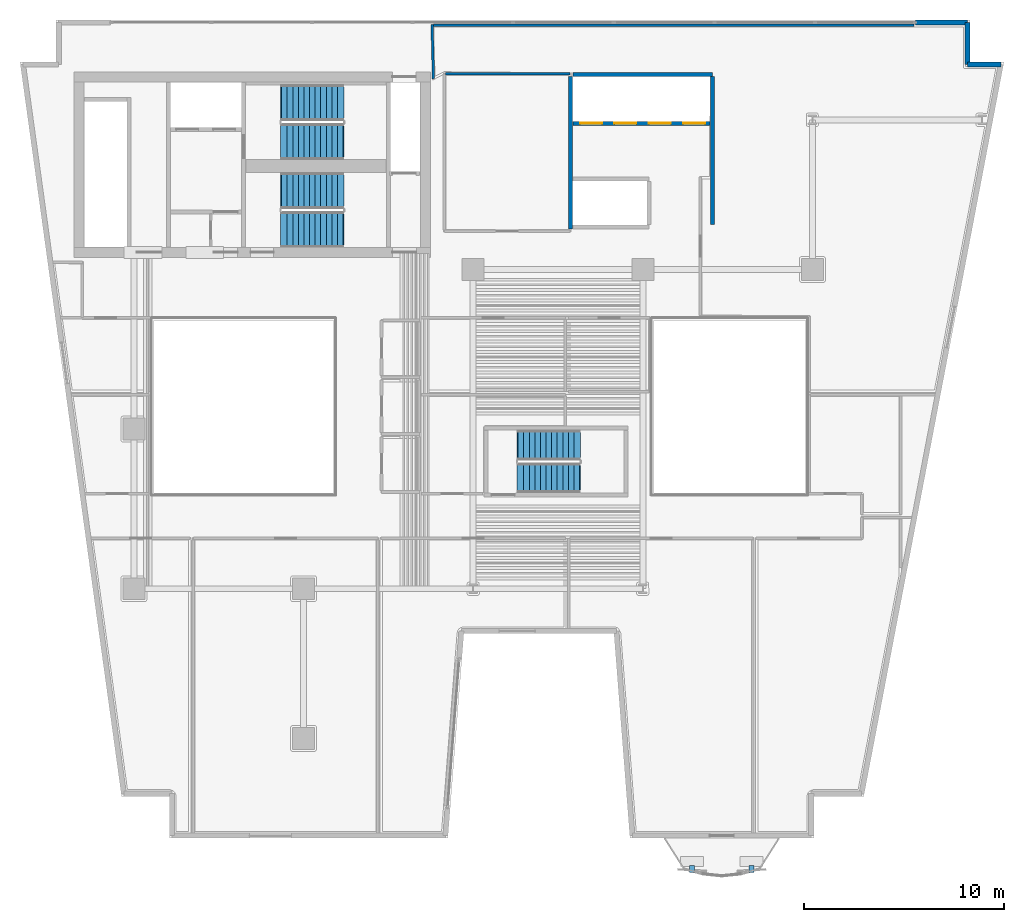
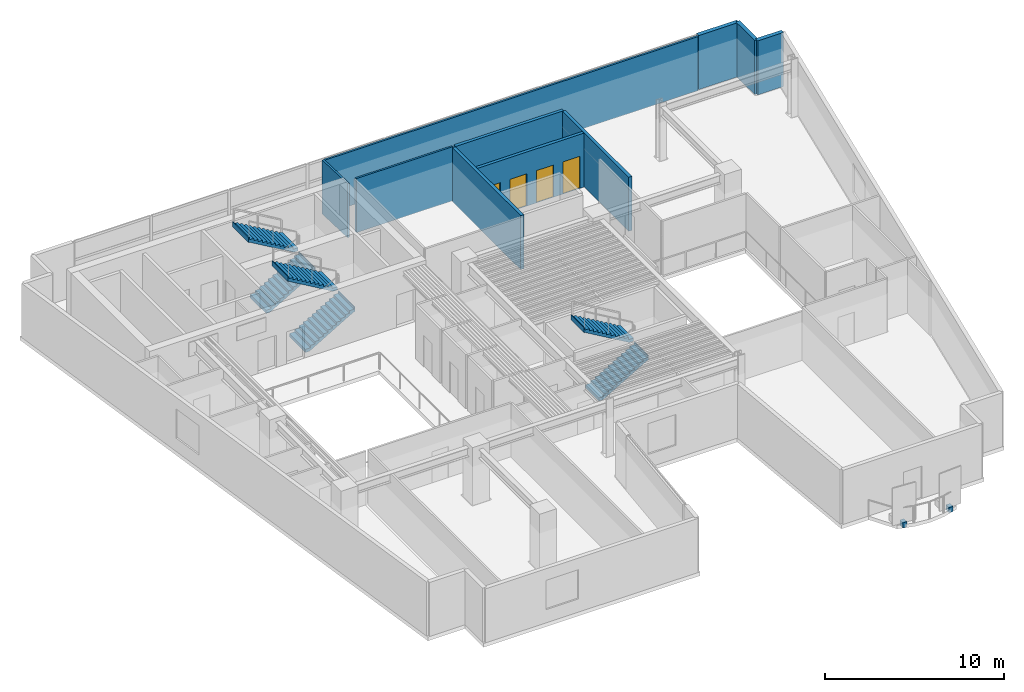
# One storey, part 8 of 13: 10 walls, 6 stair flights, 4 doors, 2 discrete accessories, 4 openings, 3 elements without a shape of their own.
"""IFC4 building model written with IfcOpenShell, lengths in metres."""

import ifcopenshell
import ifcopenshell.guid

model = None  # the IFC model being written
_history = None  # IfcOwnerHistory: only IFC2X3 demands one
_inside = {}  # id of a spatial element -> (the spatial element, [elements in it])
_under = {}  # id of a project, library or spatial element -> (it, [spatial elements below it])
_declared = {}  # id of a project -> (the project, [libraries it declares])
_typed = {}  # id of a type object -> (the type object, [elements of that type])
_made_of = {}  # id of a material, layer set ... -> (it, [elements and type objects made of it])


def new_model(schema):
    """Start an empty IFC model of exactly this schema.

    Asked for "IFC4X3", IfcOpenShell would pick the latest addendum, in which some entities
    have other attributes; the version numbers below select the first issue.
    IFC2X3 requires an IfcOwnerHistory on every rooted entity: one is made here for all.
    """
    global model, _history
    if schema == "IFC4X3":
        model = ifcopenshell.file(schema_version=(4, 3, 0, 0))
    else:
        model = ifcopenshell.file(schema=schema)
    _inside.clear()
    _under.clear()
    _declared.clear()
    _typed.clear()
    _made_of.clear()
    _history = None
    if model.schema == "IFC2X3":
        org = make("IfcOrganization", Name="unknown")
        user = make(
            "IfcPersonAndOrganization",
            ThePerson=make("IfcPerson", FamilyName="unknown"),
            TheOrganization=org,
        )
        app = make(
            "IfcApplication",
            ApplicationDeveloper=org,
            Version="unknown",
            ApplicationFullName="unknown",
            ApplicationIdentifier="unknown",
        )
        _history = make(
            "IfcOwnerHistory",
            OwningUser=user,
            OwningApplication=app,
            ChangeAction="ADDED",
            CreationDate=0,
        )
    return model


def make(cls, **values):
    """One entity of the class cls with the attributes given. An attribute that is None is left unset."""
    return model.create_entity(
        cls, **{name: value for name, value in values.items() if value is not None}
    )


def rooted(cls, **values):
    """An entity with a GlobalId (a new one), such as an element, a storey or a relation."""
    return make(cls, GlobalId=ifcopenshell.guid.new(), OwnerHistory=_history, **values)


def si_unit(unit_type, name, prefix=None):
    """IfcSIUnit, for example si_unit("LENGTHUNIT", "METRE", prefix="MILLI")."""
    return make("IfcSIUnit", UnitType=unit_type, Prefix=prefix, Name=name)


def assignment(units):
    """IfcUnitAssignment: the units of a project."""
    return None if units is None else make("IfcUnitAssignment", Units=units)


def point(xyz):
    """IfcCartesianPoint."""
    return None if xyz is None else make("IfcCartesianPoint", Coordinates=xyz)


def direction(xyz):
    """IfcDirection."""
    return None if xyz is None else make("IfcDirection", DirectionRatios=xyz)


def frame(location, z_axis=None, x_axis=None):
    """IfcAxis2Placement3D, a coordinate frame: its origin and axes. An axis left out is left unset."""
    return make(
        "IfcAxis2Placement3D",
        Location=point(location),
        Axis=direction(z_axis),
        RefDirection=direction(x_axis),
    )


def frame_2d(location, x_axis=None):
    """IfcAxis2Placement2D, a coordinate frame in the plane: its origin and x axis."""
    return make(
        "IfcAxis2Placement2D", Location=point(location), RefDirection=direction(x_axis)
    )


def origin():
    """The frame at (0, 0, 0) with its axes left unset."""
    return frame((0.0, 0.0, 0.0))


def origin_2d():
    """The frame at (0, 0) in the plane with its x axis left unset."""
    return frame_2d((0.0, 0.0))


def place(relative_to, where):
    """IfcLocalPlacement: puts the frame where relative to a parent placement (None: the world)."""
    return make(
        "IfcLocalPlacement", PlacementRelTo=relative_to, RelativePlacement=where
    )


def context(
    kind, dimensions, precision=None, world=None, true_north=None, identifier=None
):
    """IfcGeometricRepresentationContext, for example the 3D "Model" context."""
    return make(
        "IfcGeometricRepresentationContext",
        ContextIdentifier=identifier,
        ContextType=kind,
        CoordinateSpaceDimension=dimensions,
        Precision=precision,
        WorldCoordinateSystem=world,
        TrueNorth=true_north,
    )


def subcontext(parent, identifier, kind, view, scale=None):
    """IfcGeometricRepresentationSubContext, for example "Body" below "Model"."""
    return make(
        "IfcGeometricRepresentationSubContext",
        ContextIdentifier=identifier,
        ContextType=kind,
        ParentContext=parent,
        TargetScale=scale,
        TargetView=view,
    )


def project(units=None, contexts=None):
    """IfcProject with its units and contexts."""
    return rooted(
        "IfcProject",
        Name="project",
        RepresentationContexts=contexts,
        UnitsInContext=assignment(units),
    )


def spatial(cls, under=None, at=None, **own):
    """A site, building, storey or space (cls), placed at a placement, below another one or the project."""
    s = rooted(cls, ObjectPlacement=at, **own)
    if under is not None:
        _under.setdefault(under.id(), (under, []))[1].append(s)
    return s


def polyline(points):
    """IfcPolyline through the points."""
    return make("IfcPolyline", Points=[point(p) for p in points])


def profile(cls, at=None, kind="AREA", **sizes):
    """A parametric profile (cls). Its sizes go by their IFC names, for example OverallWidth=200.0."""
    return make(cls, ProfileType=kind, Position=at, **sizes)


def rectangle(**sizes):
    """IfcRectangleProfileDef."""
    return profile("IfcRectangleProfileDef", **sizes)


def outline(outer, holes=None, kind="AREA"):
    """IfcArbitraryClosedProfileDef: a profile drawn as a closed curve; with holes, ...WithVoids."""
    if holes is None:
        return make("IfcArbitraryClosedProfileDef", ProfileType=kind, OuterCurve=outer)
    return make(
        "IfcArbitraryProfileDefWithVoids",
        ProfileType=kind,
        OuterCurve=outer,
        InnerCurves=holes,
    )


def extrude(swept, where, along, depth):
    """IfcExtrudedAreaSolid: the profile swept, set in the frame where, extruded along a direction by depth."""
    return make(
        "IfcExtrudedAreaSolid",
        SweptArea=swept,
        Position=where,
        ExtrudedDirection=direction(along),
        Depth=depth,
    )


def shape(context_of_items, identifier, shape_type, items):
    """IfcShapeRepresentation: the items that make up one representation, for example the "Body"."""
    return make(
        "IfcShapeRepresentation",
        ContextOfItems=context_of_items,
        RepresentationIdentifier=identifier,
        RepresentationType=shape_type,
        Items=items,
    )


def material(Name=None, Category=None):
    """IfcMaterial."""
    return make("IfcMaterial", Name=Name, Category=Category)


def layer(
    of_material, thickness, ventilated=None, Name=None, Category=None, Priority=None
):
    """IfcMaterialLayer: one layer of a wall or slab, of a material (None: an air gap)."""
    return make(
        "IfcMaterialLayer",
        Material=of_material,
        LayerThickness=thickness,
        IsVentilated=ventilated,
        Name=Name,
        Category=Category,
        Priority=Priority,
    )


def layer_set(layers, Name=None):
    """IfcMaterialLayerSet."""
    return make("IfcMaterialLayerSet", MaterialLayers=layers, LayerSetName=Name)


def made_of(thing, what):
    """Note that an element or type object is made of a material, layer set ...; save() writes the relation."""
    if what is not None:
        _made_of.setdefault(what.id(), (what, []))[1].append(thing)
    return thing


def type_object(cls, material=None, **own):
    """A type object (cls), such as IfcWallType, which elements share."""
    return made_of(rooted(cls, **own), material)


def element(
    cls,
    number,
    at=None,
    inside=None,
    cuts=None,
    type_object=None,
    material=None,
    context=None,
    identifier="Body",
    shape_type=None,
    held_by="IfcProductDefinitionShape",
    body=None,
    shapes=None,
    **own,
):
    """One element of the class cls, such as IfcWall. Its Tag is "e" and its number.

    at: its placement. inside: the storey or other place that contains it. cuts: it is an
    opening in that element (IfcRelVoidsElement). A single representation is given by context,
    identifier, shape_type and body (its items); several are given by shapes. held_by: the class
    of the entity that holds the representations. save() writes the other relations.
    """
    e = rooted(cls, Tag="e%d" % number, ObjectPlacement=at, **own)
    if body is not None:
        shapes = [shape(context, identifier, shape_type, body)]
    if shapes is not None:
        e.Representation = make(held_by, Representations=shapes)
    if inside is not None:
        _inside.setdefault(inside.id(), (inside, []))[1].append(e)
    if cuts is not None:
        rooted(
            "IfcRelVoidsElement", RelatingBuildingElement=cuts, RelatedOpeningElement=e
        )
    if type_object is not None:
        _typed.setdefault(type_object.id(), (type_object, []))[1].append(e)
    return made_of(e, material)


def fill(opening, filler):
    """IfcRelFillsElement: the door or window that sits in an opening."""
    return rooted(
        "IfcRelFillsElement",
        RelatingOpeningElement=opening,
        RelatedBuildingElement=filler,
    )


def aggregate(whole, parts):
    """IfcRelAggregates: a whole, such as a stair, and the parts it consists of."""
    return rooted("IfcRelAggregates", RelatingObject=whole, RelatedObjects=parts)


def save(model, path):
    """Write the relations noted so far, then the file.

    IfcRelAggregates (storeys below a building ...), IfcRelContainedInSpatialStructure (elements
    in a storey), IfcRelDefinesByType, IfcRelAssociatesMaterial and IfcRelDeclares: one each for
    every whole, place, type object, material and project.
    """
    for whole, parts in _under.values():
        aggregate(whole, parts)
    for where, things in _inside.values():
        rooted(
            "IfcRelContainedInSpatialStructure",
            RelatedElements=things,
            RelatingStructure=where,
        )
    for kind, things in _typed.values():
        rooted("IfcRelDefinesByType", RelatedObjects=things, RelatingType=kind)
    for what, things in _made_of.values():
        rooted("IfcRelAssociatesMaterial", RelatedObjects=things, RelatingMaterial=what)
    for by, libraries in _declared.values():
        rooted("IfcRelDeclares", RelatingContext=by, RelatedDefinitions=libraries)
    model.write(path)


model = new_model("IFC4")

# Units and contexts
model_context = context("Model", 3, precision=1e-05, world=origin(), true_north=direction((0.0, 1.0)))
body_context = subcontext(model_context, "Body", "Model", "MODEL_VIEW")
ifc_project = project(units=[si_unit("LENGTHUNIT", "METRE"), si_unit("AREAUNIT", "SQUARE_METRE"), si_unit("VOLUMEUNIT", "CUBIC_METRE"), si_unit("PLANEANGLEUNIT", "RADIAN"), si_unit("MASSUNIT", "GRAM", prefix="KILO")], contexts=[model_context])

# Site, building, storey
site_placement = place(None, origin())
site = spatial("IfcSite", under=ifc_project, at=site_placement, CompositionType="ELEMENT")
building_placement = place(site_placement, origin())
building = spatial("IfcBuilding", under=site, at=building_placement, Name="Caeloran Harvest Quay", CompositionType="ELEMENT")
storey_placement = place(building_placement, frame((0.0, 0.0, 166.699951171875)))
storey = spatial("IfcBuildingStorey", under=building, at=storey_placement, Name="L39", CompositionType="ELEMENT", Elevation=166.699951171875)

# Walls
ifc_material_1 = material(Name="Precast concrete C50/60", Category="concrete")
ifc_layer_1 = layer(ifc_material_1, 0.260009765625, Name="Precast concrete C50/60")
ifc_layer_set_1 = layer_set([ifc_layer_1], Name="Precast concrete C50/60")
wall_type_1 = type_object("IfcWallType", Name="ENV-WALL-EW-260", PredefinedType="STANDARD", material=ifc_layer_set_1)
wall_1_placement = place(storey_placement, frame((47.669921875, 43.3701171875, 0.0), z_axis=(0.0, 0.0, 1.0), x_axis=(1.0, 0.0, 0.0)))
element("IfcWall", 1, at=wall_1_placement, inside=storey, type_object=wall_type_1, Name="L39 Exterior Facade Corner Pier Wall 6B", PredefinedType="STANDARD", context=body_context, shape_type="SweptSolid", body=[
    extrude(rectangle(XDim=2.60009765625, YDim=0.260009765625, at=frame_2d((1.300048828125, 0.0))), origin(), (0.0, 0.0, 1.0), 3.68994140625),
])
wall_2_placement = place(storey_placement, frame((50.27001953125, 43.3701171875, 0.0), z_axis=(0.0, 0.0, 1.0), x_axis=(0.0, -1.0, 0.0)))
element("IfcWall", 2, at=wall_2_placement, inside=storey, type_object=wall_type_1, Name="L39 Exterior Precast Concrete Facade Wall 7", PredefinedType="STANDARD", context=body_context, shape_type="SweptSolid", body=[
    extrude(rectangle(XDim=2.10009765625, YDim=0.260009765625, at=frame_2d((1.050048828125, 0.0))), origin(), (0.0, 0.0, 1.0), 3.68994140625),
])
wall_3_placement = place(storey_placement, frame((50.27001953125, 41.27001953125, 0.0), z_axis=(0.0, 0.0, 1.0), x_axis=(1.0, 0.0, 0.0)))
element("IfcWall", 3, at=wall_3_placement, inside=storey, type_object=wall_type_1, Name="L39 Exterior Precast Concrete Facade Wall 8", PredefinedType="STANDARD", context=body_context, shape_type="SweptSolid", body=[
    extrude(rectangle(XDim=1.671875, YDim=0.260009765625, at=frame_2d((0.8359375, 0.0))), origin(), (0.0, 0.0, 1.0), 3.68994140625),
])
ifc_material_2 = material(Name="Twin-Stud Mineral-Wool Acoustic Gypsum Partition", Category="gypsum")
ifc_layer_2 = layer(ifc_material_2, 0.125, Name="Twin-Stud Mineral-Wool Acoustic Gypsum Partition")
ifc_layer_set_2 = layer_set([ifc_layer_2], Name="Twin-Stud Mineral-Wool Acoustic Gypsum Partition")
wall_type_2 = type_object("IfcWallType", Name="INT-WALL-PW-125", PredefinedType="PARTITIONING", material=ifc_layer_set_2)
wall_4_placement = place(storey_placement, frame((24.117431640625, 40.800048828125, 0.0), z_axis=(0.0, 0.0, 1.0), x_axis=(1.0, 0.0, 0.0)))
element("IfcWall", 4, at=wall_4_placement, inside=storey, type_object=wall_type_2, Name="L39 Bioinformatics and Crop Phenotyping Laboratory Partition Wall", PredefinedType="PARTITIONING", context=body_context, shape_type="SweptSolid", body=[
    extrude(rectangle(XDim=6.232666015625, YDim=0.125, at=frame_2d((3.1162109375, 0.0))), origin(), (0.0, 0.0, 1.0), 3.68994140625),
])
wall_5_placement = place(storey_placement, frame((23.510009765625, 40.555908203125, 0.0), z_axis=(0.0, 0.0, 1.0), x_axis=(-0.02567646332, 0.999670305266, 0.0)))
element("IfcWall", 5, at=wall_5_placement, inside=storey, type_object=wall_type_2, Name="Hospitality Catering Kitchen 12 Partition Wall", PredefinedType="PARTITIONING", context=body_context, shape_type="SweptSolid", body=[
    extrude(rectangle(XDim=2.7099609375, YDim=0.125, at=frame_2d((1.35498046875, 0.0))), origin(), (0.0, 0.0, 1.0), 3.68994140625),
])
wall_6_placement = place(storey_placement, frame((23.508544921875, 43.239990234375, 0.0), z_axis=(0.0, 0.0, 1.0), x_axis=(1.0, 0.0, 0.0)))
element("IfcWall", 6, at=wall_6_placement, inside=storey, type_object=wall_type_2, Name="Hospitality Catering Kitchen 12 Partition Wall", PredefinedType="PARTITIONING", context=body_context, shape_type="SweptSolid", body=[
    extrude(rectangle(XDim=24.0869140625, YDim=0.125, at=frame_2d((12.04345703125, 0.0))), origin(), (0.0, 0.0, 1.0), 3.68994140625),
])
ifc_material_3 = material(Name="Concrete C50/60", Category="concrete")
ifc_layer_3 = layer(ifc_material_3, 0.199951171875, Name="Concrete C50/60")
ifc_layer_set_3 = layer_set([ifc_layer_3], Name="Concrete C50/60")
wall_type_3 = type_object("IfcWallType", Name="INT-WALL-SW-200", PredefinedType="PARTITIONING", material=ifc_layer_set_3)
wall_7_placement = place(storey_placement, frame((30.3798828125, 33.02001953125, 0.0), z_axis=(0.0, 0.0, 1.0), x_axis=(0.0, 1.0, 0.0)))
element("IfcWall", 7, at=wall_7_placement, inside=storey, type_object=wall_type_3, Name="L39 Bank 2 and Shuttle Lift Shaft West Wall", PredefinedType="PARTITIONING", context=body_context, shape_type="SweptSolid", body=[
    extrude(rectangle(XDim=7.639892578125, YDim=0.199951171875, at=frame_2d((3.81982421875, 0.0))), origin(), (0.0, 0.0, 1.0), 3.68994140625),
])
wall_8_placement = place(storey_placement, frame((30.5, 40.780029296875, 0.0), z_axis=(0.0, 0.0, 1.0), x_axis=(1.0, 0.0, 0.0)))
element("IfcWall", 8, at=wall_8_placement, inside=storey, type_object=wall_type_3, Name="L39 Bank 2 Lift Shaft North Wall", PredefinedType="PARTITIONING", context=body_context, shape_type="SweptSolid", body=[
    extrude(rectangle(XDim=6.97998046875, YDim=0.199951171875, at=frame_2d((3.489990234375, 0.0))), origin(), (0.0, 0.0, 1.0), 3.68994140625),
])
wall_9_placement = place(storey_placement, frame((37.47998046875, 33.239990234375, 0.0), z_axis=(0.0, 0.0, 1.0), x_axis=(0.0, 1.0, 0.0)))
element("IfcWall", 9, at=wall_9_placement, inside=storey, type_object=wall_type_3, Name="L39 Bank 2 Lift Shaft East Wall", PredefinedType="PARTITIONING", context=body_context, shape_type="SweptSolid", body=[
    extrude(rectangle(XDim=7.419921875, YDim=0.199951171875, at=frame_2d((3.7099609375, 0.0))), origin(), (0.0, 0.0, 1.0), 3.68994140625),
])

# Wall, openings, doors
wall_10_placement = place(storey_placement, frame((30.5, 38.320068359375, 0.0), z_axis=(0.0, 0.0, 1.0), x_axis=(1.0, 0.0, 0.0)))
wall_10 = element("IfcWall", 10, at=wall_10_placement, inside=storey, type_object=wall_type_3, Name="L39 Bank 2 Lift Landing Front Wall", PredefinedType="PARTITIONING", context=body_context, shape_type="SweptSolid", body=[
    extrude(rectangle(XDim=6.860107421875, YDim=0.199951171875, at=frame_2d((3.43017578125, 0.0))), origin(), (0.0, 0.0, 1.0), 3.68994140625),
])
opening_1_placement = place(wall_10_placement, frame((0.360107421875, 0.0, 0.0)))
opening_1 = element("IfcOpeningElement", 11, at=opening_1_placement, cuts=wall_10, Name="Opening LD-01", PredefinedType="OPENING", context=body_context, shape_type="SweptSolid", body=[
    extrude(rectangle(XDim=1.10009765625, YDim=2.199951171875, at=frame_2d((0.550048828125, 1.10009765625))), frame((0.0, 0.10986328125, 0.0), z_axis=(0.0, -1.0, 0.0), x_axis=(1.0, 0.0, 0.0)), (0.0, 0.0, 1.0), 0.219970703125),
])
opening_2_placement = place(wall_10_placement, frame((2.080078125, 0.0, 0.0)))
opening_2 = element("IfcOpeningElement", 12, at=opening_2_placement, cuts=wall_10, Name="Opening LD-01", PredefinedType="OPENING", context=body_context, shape_type="SweptSolid", body=[
    extrude(rectangle(XDim=1.10009765625, YDim=2.199951171875, at=frame_2d((0.550048828125, 1.10009765625))), frame((0.0, 0.10986328125, 0.0), z_axis=(0.0, -1.0, 0.0), x_axis=(1.0, 0.0, 0.0)), (0.0, 0.0, 1.0), 0.219970703125),
])
opening_3_placement = place(wall_10_placement, frame((3.800048828125, 0.0, 0.0)))
opening_3 = element("IfcOpeningElement", 13, at=opening_3_placement, cuts=wall_10, Name="Opening LD-01", PredefinedType="OPENING", context=body_context, shape_type="SweptSolid", body=[
    extrude(rectangle(XDim=1.10009765625, YDim=2.199951171875, at=frame_2d((0.550048828125, 1.10009765625))), frame((0.0, 0.10986328125, 0.0), z_axis=(0.0, -1.0, 0.0), x_axis=(1.0, 0.0, 0.0)), (0.0, 0.0, 1.0), 0.219970703125),
])
opening_4_placement = place(wall_10_placement, frame((5.52001953125, 0.0, 0.0)))
opening_4 = element("IfcOpeningElement", 14, at=opening_4_placement, cuts=wall_10, Name="Opening LD-01", PredefinedType="OPENING", context=body_context, shape_type="SweptSolid", body=[
    extrude(rectangle(XDim=1.10009765625, YDim=2.199951171875, at=frame_2d((0.550048828125, 1.10009765625))), frame((0.0, 0.10986328125, 0.0), z_axis=(0.0, -1.0, 0.0), x_axis=(1.0, 0.0, 0.0)), (0.0, 0.0, 1.0), 0.219970703125),
])
ifc_material_4 = material(Name="Stainless Steel Grade 316", Category="steel")
door_type = type_object("IfcDoorType", Name="INTDOOR-LD-01", OperationType="NOTDEFINED", PredefinedType="DOOR", material=ifc_material_4)
door_1_placement = place(opening_1_placement, origin())
door_1 = element("IfcDoor", 15, at=door_1_placement, inside=storey, type_object=door_type, Name="Lift P2-1 Sliding Landing Door (L39)", OperationType="DOUBLE_DOOR_SLIDING", OverallHeight=2.199951171875, OverallWidth=1.10009765625, PredefinedType="DOOR", context=body_context, shape_type="SweptSolid", body=[
    extrude(rectangle(XDim=1.10009765625, YDim=2.199951171875, at=frame_2d((0.550048828125, 1.10009765625))), frame((0.0, 0.02490234375, 0.0), z_axis=(0.0, -1.0, 0.0), x_axis=(1.0, 0.0, 0.0)), (0.0, 0.0, 1.0), 0.050048828125),
])
fill(opening_1, door_1)
door_2_placement = place(opening_2_placement, origin())
door_2 = element("IfcDoor", 16, at=door_2_placement, inside=storey, type_object=door_type, Name="Lift P2-2 Sliding Landing Door (L39)", OperationType="DOUBLE_DOOR_SLIDING", OverallHeight=2.199951171875, OverallWidth=1.10009765625, PredefinedType="DOOR", context=body_context, shape_type="SweptSolid", body=[
    extrude(rectangle(XDim=1.10009765625, YDim=2.199951171875, at=frame_2d((0.550048828125, 1.10009765625))), frame((0.0, 0.02490234375, 0.0), z_axis=(0.0, -1.0, 0.0), x_axis=(1.0, 0.0, 0.0)), (0.0, 0.0, 1.0), 0.050048828125),
])
fill(opening_2, door_2)
door_3_placement = place(opening_3_placement, origin())
door_3 = element("IfcDoor", 17, at=door_3_placement, inside=storey, type_object=door_type, Name="Lift P2-3 Sliding Landing Door (L39)", OperationType="DOUBLE_DOOR_SLIDING", OverallHeight=2.199951171875, OverallWidth=1.10009765625, PredefinedType="DOOR", context=body_context, shape_type="SweptSolid", body=[
    extrude(rectangle(XDim=1.10009765625, YDim=2.199951171875, at=frame_2d((0.550048828125, 1.10009765625))), frame((0.0, 0.02490234375, 0.0), z_axis=(0.0, -1.0, 0.0), x_axis=(1.0, 0.0, 0.0)), (0.0, 0.0, 1.0), 0.050048828125),
])
fill(opening_3, door_3)
door_4_placement = place(opening_4_placement, origin())
door_4 = element("IfcDoor", 18, at=door_4_placement, inside=storey, type_object=door_type, Name="Lift P2-4 Sliding Landing Door (L39)", OperationType="DOUBLE_DOOR_SLIDING", OverallHeight=2.199951171875, OverallWidth=1.10009765625, PredefinedType="DOOR", context=body_context, shape_type="SweptSolid", body=[
    extrude(rectangle(XDim=1.10009765625, YDim=2.199951171875, at=frame_2d((0.550048828125, 1.10009765625))), frame((0.0, 0.02490234375, 0.0), z_axis=(0.0, -1.0, 0.0), x_axis=(1.0, 0.0, 0.0)), (0.0, 0.0, 1.0), 0.050048828125),
])
fill(opening_4, door_4)

# Stair, stair flights
stair_type_1 = type_object("IfcStairType", Name="STAIR-STC-180", PredefinedType="HALF_TURN_STAIR", material=ifc_material_3)
stair_1_placement = place(storey_placement, origin())
stair_1 = element("IfcStair", 19, at=stair_1_placement, inside=storey, type_object=stair_type_1, Name="L39 Core Pressurized Exit Stair ST-C1", PredefinedType="HALF_TURN_STAIR")
stair_flight_type_1 = type_object("IfcStairFlightType", Name="FLIGHT-STC-180", PredefinedType="STRAIGHT", material=ifc_material_3)
stair_flight_1_placement = place(storey_placement, frame((15.89990234375, 37.39990234375, 0.0), z_axis=(0.0, 0.0, 1.0), x_axis=(1.0, 0.0, 0.0)))
stair_flight_1 = element("IfcStairFlight", 20, at=stair_flight_1_placement, type_object=stair_flight_type_1, Name="ST-C1 flight 1", NumberOfRisers=12, NumberOfTreads=11, PredefinedType="STRAIGHT", RiserHeight=0.164583333, TreadLength=0.28, context=body_context, shape_type="SweptSolid", body=[
    extrude(outline(polyline([(-0.054931640625, -0.044921875), (-0.054931640625, -0.031982421875), (-0.054931640625, -0.018798828125), (-0.054931640625, -0.005615234375), (-0.054931640625, 0.00732421875), (-0.054931640625, 0.0205078125), (-0.054931640625, 0.03369140625), (-0.054931640625, 0.046630859375), (-0.054931640625, 0.059814453125), (-0.054931640625, 0.072998046875), (-0.054931640625, 0.0859375), (-0.054931640625, 0.09912109375), (-0.054931640625, 0.1123046875), (-0.054931640625, 0.125244140625), (-0.054931640625, 0.138427734375), (-0.054931640625, 0.1513671875), (-0.054931640625, 0.16455078125), (0.280029296875, 0.16455078125), (0.280029296875, 0.3291015625), (0.56005859375, 0.3291015625), (0.56005859375, 0.49365234375), (0.840087890625, 0.49365234375), (0.840087890625, 0.658447265625), (1.1201171875, 0.658447265625), (1.1201171875, 0.822998046875), (1.39990234375, 0.822998046875), (1.39990234375, 0.987548828125), (1.679931640625, 0.987548828125), (1.679931640625, 1.152099609375), (1.9599609375, 1.152099609375), (1.9599609375, 1.316650390625), (2.239990234375, 1.316650390625), (2.239990234375, 1.481201171875), (2.52001953125, 1.481201171875), (2.52001953125, 1.645751953125), (2.800048828125, 1.645751953125), (2.800048828125, 1.810302734375), (3.080078125, 1.810302734375), (3.080078125, 1.97509765625), (3.135009765625, 1.97509765625), (3.135009765625, 1.953857421875), (3.135009765625, 1.9326171875), (3.135009765625, 1.91162109375), (3.135009765625, 1.890380859375), (3.135009765625, 1.869140625), (3.135009765625, 1.84814453125), (3.135009765625, 1.826904296875), (3.135009765625, 1.8056640625), (3.135009765625, 1.78466796875), (3.135009765625, 1.763427734375), (3.135009765625, 1.7421875), (3.135009765625, 1.72119140625), (3.135009765625, 1.699951171875), (3.135009765625, 1.678955078125), (3.135009765625, 1.65771484375), (3.135009765625, 1.636474609375), (3.080078125, 1.636474609375), (0.21923828125, -0.044921875), (-0.054931640625, -0.044921875)])), frame((0.0, 0.89990234375, 0.0), z_axis=(0.0, -1.0, 0.0), x_axis=(1.0, 0.0, 0.0)), (0.0, 0.0, 1.0), 1.800048828125),
])
stair_flight_2_placement = place(storey_placement, frame((18.97998046875, 39.35009765625, 1.97509765625), z_axis=(0.0, 0.0, 1.0), x_axis=(-1.0, 0.0, 0.0)))
stair_flight_2 = element("IfcStairFlight", 21, at=stair_flight_2_placement, type_object=stair_flight_type_1, Name="ST-C1 flight 2", NumberOfRisers=12, NumberOfTreads=11, PredefinedType="STRAIGHT", RiserHeight=0.164583333, TreadLength=0.28, context=body_context, shape_type="SweptSolid", body=[
    extrude(outline(polyline([(-0.054931640625, -0.044921875), (-0.054931640625, -0.031982421875), (-0.054931640625, -0.018798828125), (-0.054931640625, -0.005615234375), (-0.054931640625, 0.00732421875), (-0.054931640625, 0.0205078125), (-0.054931640625, 0.03369140625), (-0.054931640625, 0.046630859375), (-0.054931640625, 0.059814453125), (-0.054931640625, 0.072998046875), (-0.054931640625, 0.0859375), (-0.054931640625, 0.09912109375), (-0.054931640625, 0.1123046875), (-0.054931640625, 0.125244140625), (-0.054931640625, 0.138427734375), (-0.054931640625, 0.1513671875), (-0.054931640625, 0.16455078125), (0.280029296875, 0.16455078125), (0.280029296875, 0.3291015625), (0.56005859375, 0.3291015625), (0.56005859375, 0.49365234375), (0.840087890625, 0.49365234375), (0.840087890625, 0.658447265625), (1.1201171875, 0.658447265625), (1.1201171875, 0.822998046875), (1.39990234375, 0.822998046875), (1.39990234375, 0.987548828125), (1.679931640625, 0.987548828125), (1.679931640625, 1.152099609375), (1.9599609375, 1.152099609375), (1.9599609375, 1.316650390625), (2.239990234375, 1.316650390625), (2.239990234375, 1.481201171875), (2.52001953125, 1.481201171875), (2.52001953125, 1.645751953125), (2.800048828125, 1.645751953125), (2.800048828125, 1.810302734375), (3.080078125, 1.810302734375), (3.080078125, 1.97509765625), (3.135009765625, 1.97509765625), (3.135009765625, 1.953857421875), (3.135009765625, 1.9326171875), (3.135009765625, 1.91162109375), (3.135009765625, 1.890380859375), (3.135009765625, 1.869140625), (3.135009765625, 1.84814453125), (3.135009765625, 1.826904296875), (3.135009765625, 1.8056640625), (3.135009765625, 1.78466796875), (3.135009765625, 1.763427734375), (3.135009765625, 1.7421875), (3.135009765625, 1.72119140625), (3.135009765625, 1.699951171875), (3.135009765625, 1.678955078125), (3.135009765625, 1.65771484375), (3.135009765625, 1.636474609375), (3.080078125, 1.636474609375), (0.21923828125, -0.044921875), (-0.054931640625, -0.044921875)])), frame((0.0, 0.89990234375, 0.0), z_axis=(0.0, -1.0, 0.0), x_axis=(1.0, 0.0, 0.0)), (0.0, 0.0, 1.0), 1.800048828125),
])
aggregate(stair_1, [stair_flight_1, stair_flight_2])

stair_2_placement = place(storey_placement, origin())
stair_2 = element("IfcStair", 22, at=stair_2_placement, inside=storey, type_object=stair_type_1, Name="L39 Core Pressurized Exit Stair ST-C2", PredefinedType="HALF_TURN_STAIR")
stair_flight_3_placement = place(storey_placement, frame((15.89990234375, 33.0, 0.0), z_axis=(0.0, 0.0, 1.0), x_axis=(1.0, 0.0, 0.0)))
stair_flight_3 = element("IfcStairFlight", 23, at=stair_flight_3_placement, type_object=stair_flight_type_1, Name="ST-C2 flight 1", NumberOfRisers=12, NumberOfTreads=11, PredefinedType="STRAIGHT", RiserHeight=0.164583333, TreadLength=0.28, context=body_context, shape_type="SweptSolid", body=[
    extrude(outline(polyline([(-0.054931640625, -0.044921875), (-0.054931640625, -0.031982421875), (-0.054931640625, -0.018798828125), (-0.054931640625, -0.005615234375), (-0.054931640625, 0.00732421875), (-0.054931640625, 0.0205078125), (-0.054931640625, 0.03369140625), (-0.054931640625, 0.046630859375), (-0.054931640625, 0.059814453125), (-0.054931640625, 0.072998046875), (-0.054931640625, 0.0859375), (-0.054931640625, 0.09912109375), (-0.054931640625, 0.1123046875), (-0.054931640625, 0.125244140625), (-0.054931640625, 0.138427734375), (-0.054931640625, 0.1513671875), (-0.054931640625, 0.16455078125), (0.280029296875, 0.16455078125), (0.280029296875, 0.3291015625), (0.56005859375, 0.3291015625), (0.56005859375, 0.49365234375), (0.840087890625, 0.49365234375), (0.840087890625, 0.658447265625), (1.1201171875, 0.658447265625), (1.1201171875, 0.822998046875), (1.39990234375, 0.822998046875), (1.39990234375, 0.987548828125), (1.679931640625, 0.987548828125), (1.679931640625, 1.152099609375), (1.9599609375, 1.152099609375), (1.9599609375, 1.316650390625), (2.239990234375, 1.316650390625), (2.239990234375, 1.481201171875), (2.52001953125, 1.481201171875), (2.52001953125, 1.645751953125), (2.800048828125, 1.645751953125), (2.800048828125, 1.810302734375), (3.080078125, 1.810302734375), (3.080078125, 1.97509765625), (3.135009765625, 1.97509765625), (3.135009765625, 1.953857421875), (3.135009765625, 1.9326171875), (3.135009765625, 1.91162109375), (3.135009765625, 1.890380859375), (3.135009765625, 1.869140625), (3.135009765625, 1.84814453125), (3.135009765625, 1.826904296875), (3.135009765625, 1.8056640625), (3.135009765625, 1.78466796875), (3.135009765625, 1.763427734375), (3.135009765625, 1.7421875), (3.135009765625, 1.72119140625), (3.135009765625, 1.699951171875), (3.135009765625, 1.678955078125), (3.135009765625, 1.65771484375), (3.135009765625, 1.636474609375), (3.080078125, 1.636474609375), (0.21923828125, -0.044921875), (-0.054931640625, -0.044921875)])), frame((0.0, 0.89990234375, 0.0), z_axis=(0.0, -1.0, 0.0), x_axis=(1.0, 0.0, 0.0)), (0.0, 0.0, 1.0), 1.800048828125),
])
stair_flight_4_placement = place(storey_placement, frame((18.97998046875, 34.949951171875, 1.97509765625), z_axis=(0.0, 0.0, 1.0), x_axis=(-1.0, 0.0, 0.0)))
stair_flight_4 = element("IfcStairFlight", 24, at=stair_flight_4_placement, type_object=stair_flight_type_1, Name="ST-C2 flight 2", NumberOfRisers=12, NumberOfTreads=11, PredefinedType="STRAIGHT", RiserHeight=0.164583333, TreadLength=0.28, context=body_context, shape_type="SweptSolid", body=[
    extrude(outline(polyline([(-0.054931640625, -0.044921875), (-0.054931640625, -0.031982421875), (-0.054931640625, -0.018798828125), (-0.054931640625, -0.005615234375), (-0.054931640625, 0.00732421875), (-0.054931640625, 0.0205078125), (-0.054931640625, 0.03369140625), (-0.054931640625, 0.046630859375), (-0.054931640625, 0.059814453125), (-0.054931640625, 0.072998046875), (-0.054931640625, 0.0859375), (-0.054931640625, 0.09912109375), (-0.054931640625, 0.1123046875), (-0.054931640625, 0.125244140625), (-0.054931640625, 0.138427734375), (-0.054931640625, 0.1513671875), (-0.054931640625, 0.16455078125), (0.280029296875, 0.16455078125), (0.280029296875, 0.3291015625), (0.56005859375, 0.3291015625), (0.56005859375, 0.49365234375), (0.840087890625, 0.49365234375), (0.840087890625, 0.658447265625), (1.1201171875, 0.658447265625), (1.1201171875, 0.822998046875), (1.39990234375, 0.822998046875), (1.39990234375, 0.987548828125), (1.679931640625, 0.987548828125), (1.679931640625, 1.152099609375), (1.9599609375, 1.152099609375), (1.9599609375, 1.316650390625), (2.239990234375, 1.316650390625), (2.239990234375, 1.481201171875), (2.52001953125, 1.481201171875), (2.52001953125, 1.645751953125), (2.800048828125, 1.645751953125), (2.800048828125, 1.810302734375), (3.080078125, 1.810302734375), (3.080078125, 1.97509765625), (3.135009765625, 1.97509765625), (3.135009765625, 1.953857421875), (3.135009765625, 1.9326171875), (3.135009765625, 1.91162109375), (3.135009765625, 1.890380859375), (3.135009765625, 1.869140625), (3.135009765625, 1.84814453125), (3.135009765625, 1.826904296875), (3.135009765625, 1.8056640625), (3.135009765625, 1.78466796875), (3.135009765625, 1.763427734375), (3.135009765625, 1.7421875), (3.135009765625, 1.72119140625), (3.135009765625, 1.699951171875), (3.135009765625, 1.678955078125), (3.135009765625, 1.65771484375), (3.135009765625, 1.636474609375), (3.080078125, 1.636474609375), (0.21923828125, -0.044921875), (-0.054931640625, -0.044921875)])), frame((0.0, 0.89990234375, 0.0), z_axis=(0.0, -1.0, 0.0), x_axis=(1.0, 0.0, 0.0)), (0.0, 0.0, 1.0), 1.800048828125),
])
aggregate(stair_2, [stair_flight_3, stair_flight_4])

stair_type_2 = type_object("IfcStairType", Name="STAIR-STW-150", PredefinedType="HALF_TURN_STAIR", material=ifc_material_3)
stair_3_placement = place(storey_placement, origin())
stair_3 = element("IfcStair", 25, at=stair_3_placement, inside=storey, type_object=stair_type_2, Name="L39 East Wing Protected Exit Stair ST-W1", PredefinedType="HALF_TURN_STAIR")
stair_flight_type_2 = type_object("IfcStairFlightType", Name="FLIGHT-STW-150", PredefinedType="STRAIGHT", material=ifc_material_3)
stair_flight_5_placement = place(storey_placement, frame((27.75, 20.550048828125, 0.0), z_axis=(0.0, 0.0, 1.0), x_axis=(1.0, 0.0, 0.0)))
stair_flight_5 = element("IfcStairFlight", 26, at=stair_flight_5_placement, type_object=stair_flight_type_2, Name="ST-W1 flight 1", NumberOfRisers=12, NumberOfTreads=11, PredefinedType="STRAIGHT", RiserHeight=0.164583333, TreadLength=0.28, context=body_context, shape_type="SweptSolid", body=[
    extrude(outline(polyline([(-0.054931640625, -0.044921875), (-0.054931640625, -0.031982421875), (-0.054931640625, -0.018798828125), (-0.054931640625, -0.005615234375), (-0.054931640625, 0.00732421875), (-0.054931640625, 0.0205078125), (-0.054931640625, 0.03369140625), (-0.054931640625, 0.046630859375), (-0.054931640625, 0.059814453125), (-0.054931640625, 0.072998046875), (-0.054931640625, 0.0859375), (-0.054931640625, 0.09912109375), (-0.054931640625, 0.1123046875), (-0.054931640625, 0.125244140625), (-0.054931640625, 0.138427734375), (-0.054931640625, 0.1513671875), (-0.054931640625, 0.16455078125), (0.280029296875, 0.16455078125), (0.280029296875, 0.3291015625), (0.56005859375, 0.3291015625), (0.56005859375, 0.49365234375), (0.840087890625, 0.49365234375), (0.840087890625, 0.658447265625), (1.1201171875, 0.658447265625), (1.1201171875, 0.822998046875), (1.39990234375, 0.822998046875), (1.39990234375, 0.987548828125), (1.679931640625, 0.987548828125), (1.679931640625, 1.152099609375), (1.9599609375, 1.152099609375), (1.9599609375, 1.316650390625), (2.239990234375, 1.316650390625), (2.239990234375, 1.481201171875), (2.52001953125, 1.481201171875), (2.52001953125, 1.645751953125), (2.800048828125, 1.645751953125), (2.800048828125, 1.810302734375), (3.080078125, 1.810302734375), (3.080078125, 1.97509765625), (3.135009765625, 1.97509765625), (3.135009765625, 1.953857421875), (3.135009765625, 1.9326171875), (3.135009765625, 1.91162109375), (3.135009765625, 1.890380859375), (3.135009765625, 1.869140625), (3.135009765625, 1.84814453125), (3.135009765625, 1.826904296875), (3.135009765625, 1.8056640625), (3.135009765625, 1.78466796875), (3.135009765625, 1.763427734375), (3.135009765625, 1.7421875), (3.135009765625, 1.72119140625), (3.135009765625, 1.699951171875), (3.135009765625, 1.678955078125), (3.135009765625, 1.65771484375), (3.135009765625, 1.636474609375), (3.080078125, 1.636474609375), (0.21923828125, -0.044921875), (-0.054931640625, -0.044921875)])), frame((0.0, 0.75, 0.0), z_axis=(0.0, -1.0, 0.0), x_axis=(1.0, 0.0, 0.0)), (0.0, 0.0, 1.0), 1.5),
])
stair_flight_6_placement = place(storey_placement, frame((30.830078125, 22.199951171875, 1.97509765625), z_axis=(0.0, 0.0, 1.0), x_axis=(-1.0, 0.0, 0.0)))
stair_flight_6 = element("IfcStairFlight", 27, at=stair_flight_6_placement, type_object=stair_flight_type_2, Name="ST-W1 flight 2", NumberOfRisers=12, NumberOfTreads=11, PredefinedType="STRAIGHT", RiserHeight=0.164583333, TreadLength=0.28, context=body_context, shape_type="SweptSolid", body=[
    extrude(outline(polyline([(-0.054931640625, -0.044921875), (-0.054931640625, -0.031982421875), (-0.054931640625, -0.018798828125), (-0.054931640625, -0.005615234375), (-0.054931640625, 0.00732421875), (-0.054931640625, 0.0205078125), (-0.054931640625, 0.03369140625), (-0.054931640625, 0.046630859375), (-0.054931640625, 0.059814453125), (-0.054931640625, 0.072998046875), (-0.054931640625, 0.0859375), (-0.054931640625, 0.09912109375), (-0.054931640625, 0.1123046875), (-0.054931640625, 0.125244140625), (-0.054931640625, 0.138427734375), (-0.054931640625, 0.1513671875), (-0.054931640625, 0.16455078125), (0.280029296875, 0.16455078125), (0.280029296875, 0.3291015625), (0.56005859375, 0.3291015625), (0.56005859375, 0.49365234375), (0.840087890625, 0.49365234375), (0.840087890625, 0.658447265625), (1.1201171875, 0.658447265625), (1.1201171875, 0.822998046875), (1.39990234375, 0.822998046875), (1.39990234375, 0.987548828125), (1.679931640625, 0.987548828125), (1.679931640625, 1.152099609375), (1.9599609375, 1.152099609375), (1.9599609375, 1.316650390625), (2.239990234375, 1.316650390625), (2.239990234375, 1.481201171875), (2.52001953125, 1.481201171875), (2.52001953125, 1.645751953125), (2.800048828125, 1.645751953125), (2.800048828125, 1.810302734375), (3.080078125, 1.810302734375), (3.080078125, 1.97509765625), (3.135009765625, 1.97509765625), (3.135009765625, 1.953857421875), (3.135009765625, 1.9326171875), (3.135009765625, 1.91162109375), (3.135009765625, 1.890380859375), (3.135009765625, 1.869140625), (3.135009765625, 1.84814453125), (3.135009765625, 1.826904296875), (3.135009765625, 1.8056640625), (3.135009765625, 1.78466796875), (3.135009765625, 1.763427734375), (3.135009765625, 1.7421875), (3.135009765625, 1.72119140625), (3.135009765625, 1.699951171875), (3.135009765625, 1.678955078125), (3.135009765625, 1.65771484375), (3.135009765625, 1.636474609375), (3.080078125, 1.636474609375), (0.21923828125, -0.044921875), (-0.054931640625, -0.044921875)])), frame((0.0, 0.75, 0.0), z_axis=(0.0, -1.0, 0.0), x_axis=(1.0, 0.0, 0.0)), (0.0, 0.0, 1.0), 1.5),
])
aggregate(stair_3, [stair_flight_5, stair_flight_6])

# Discrete accessories
ifc_material_5 = material(Name="Stainless Steel Grade 316L", Category="steel")
discrete_accessory_type = type_object("IfcDiscreteAccessoryType", Name="BRACKET-SCREEN-SS", PredefinedType="BRACKET", material=ifc_material_5)
for number, where, z_axis, x_axis, name in (
    (28, (39.44921875, 0.95361328125, -0.22021484375), (0.0, 0.0, 1.0), (1.0, 0.0, 0.0), "L39 Balcony Screen Support Bracket 1"),
    (29, (36.4658203125, 0.95361328125, -0.22021484375), (0.0, 0.0, 1.0), (1.0, 0.0, 0.0), "L39 Balcony Screen Support Bracket 2"),
):
    element("IfcDiscreteAccessory", number, at=place(storey_placement, frame(where, z_axis=z_axis, x_axis=x_axis)), inside=storey, type_object=discrete_accessory_type, Name=name, PredefinedType="BRACKET", context=body_context, shape_type="SweptSolid", body=[
        extrude(rectangle(XDim=0.260009765625, YDim=0.340087890625, at=origin_2d()), origin(), (0.0, 0.0, 1.0), 0.360107421875),
    ])

save(model, "model.ifc")
